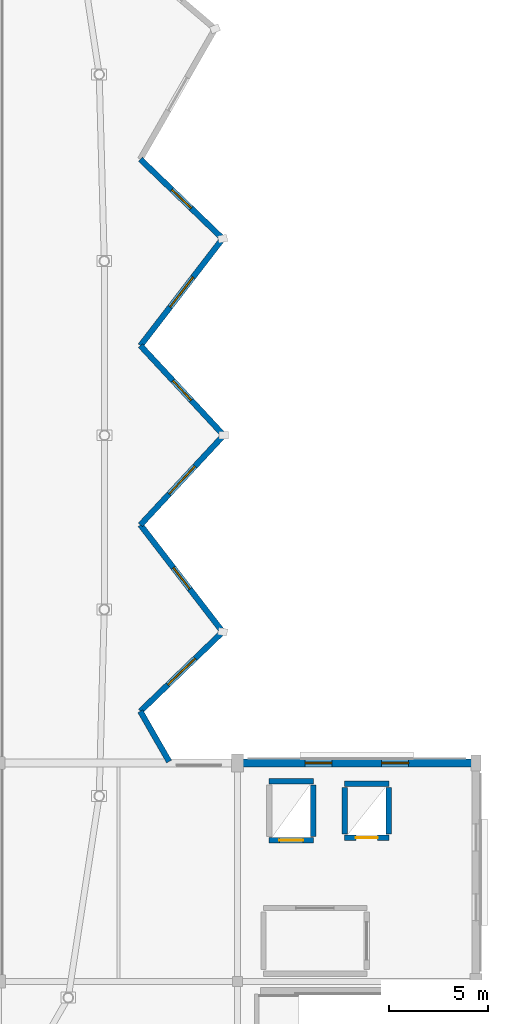
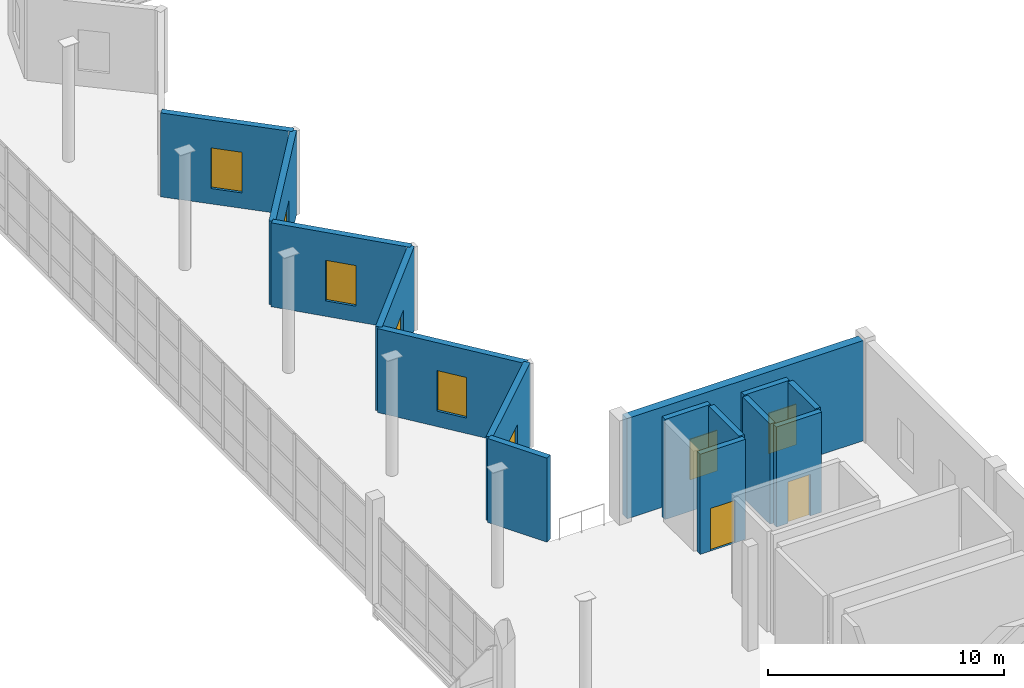
# One storey, part 40 of 49: 15 walls, 8 windows, 2 doors, 10 openings.
"""IFC4 building model written with IfcOpenShell, lengths in metres."""

from ifc_helpers import new_model, si_unit, direction, frame, frame_2d, origin, place, context, subcontext, project, spatial, rectangle, extrude, material, layer, layer_set, type_object, element, fill, save


model = new_model("IFC4")

# Units and contexts
model_context = context("Model", 3, precision=1e-05, world=origin(), true_north=direction((0.0, 1.0)))
body_context = subcontext(model_context, "Body", "Model", "MODEL_VIEW")
ifc_project = project(units=[si_unit("LENGTHUNIT", "METRE"), si_unit("AREAUNIT", "SQUARE_METRE"), si_unit("VOLUMEUNIT", "CUBIC_METRE"), si_unit("PLANEANGLEUNIT", "RADIAN"), si_unit("MASSUNIT", "GRAM", prefix="KILO")], contexts=[model_context])

# Site, building, storey
site_placement = place(None, origin())
site = spatial("IfcSite", under=ifc_project, at=site_placement, CompositionType="ELEMENT")
building_placement = place(site_placement, origin())
building = spatial("IfcBuilding", under=site, at=building_placement, Name="Luwafu Chhajja Arena", CompositionType="ELEMENT")
storey_placement = place(building_placement, frame((0.0, 0.0, 24.300048828125)))
storey = spatial("IfcBuildingStorey", under=building, at=storey_placement, Name="L05", CompositionType="ELEMENT", Elevation=24.300048828125)

# Wall, opening, door
ifc_material_1 = material(Name="Concrete C35/45", Category="concrete")
ifc_layer_1 = layer(ifc_material_1, 0.260009765625, Name="Concrete C35/45")
ifc_layer_set_1 = layer_set([ifc_layer_1], Name="Concrete C35/45")
wall_type_1 = type_object("IfcWallType", Name="Lift and Riser Shaft Wall 260", PredefinedType="SOLIDWALL", material=ifc_layer_set_1)
wall_1_placement = place(storey_placement, frame((153.590087890625, 29.114990234375, 0.0), z_axis=(0.0, 0.0, 1.0), x_axis=(1.0, 0.0, 0.0)))
wall_1 = element("IfcWall", 1, at=wall_1_placement, inside=storey, type_object=wall_type_1, Name="L05 Lift LF-02 Shaft Wall S", PredefinedType="SOLIDWALL", context=body_context, shape_type="SweptSolid", body=[
    extrude(rectangle(XDim=2.219970703125, YDim=0.260009765625, at=frame_2d((1.10986328125, 0.0))), origin(), (0.0, 0.0, 1.0), 5.179931640625),
])
opening_1_placement = place(wall_1_placement, frame((0.510009765625, 0.0, 0.0)))
opening_1 = element("IfcOpeningElement", 2, at=opening_1_placement, cuts=wall_1, Name="Opening LD-02", PredefinedType="OPENING", context=body_context, shape_type="SweptSolid", body=[
    extrude(rectangle(XDim=1.199951171875, YDim=2.199951171875, at=frame_2d((0.60009765625, 1.10009765625))), frame((0.0, 0.139892578125, 0.0), z_axis=(0.0, -1.0, 0.0), x_axis=(1.0, 0.0, 0.0)), (0.0, 0.0, 1.0), 0.280029296875),
])
ifc_material_2 = material(Name="Brushed stainless steel sliding leaves", Category="steel")
door_type_1 = type_object("IfcDoorType", Name="LD-02", OperationType="SLIDING_TO_LEFT", PredefinedType="DOOR", material=ifc_material_2)
door_1_placement = place(opening_1_placement, origin())
door_1 = element("IfcDoor", 3, at=door_1_placement, inside=storey, type_object=door_type_1, Name="L05 Lift LF-02 Landing Door L05-LD03", OperationType="SLIDING_TO_LEFT", OverallHeight=2.199951171875, OverallWidth=1.199951171875, PredefinedType="DOOR", context=body_context, shape_type="SweptSolid", body=[
    extrude(rectangle(XDim=1.199951171875, YDim=2.199951171875, at=frame_2d((0.60009765625, 1.10009765625))), frame((0.0, 0.02490234375, 0.0), z_axis=(0.0, -1.0, 0.0), x_axis=(1.0, 0.0, 0.0)), (0.0, 0.0, 1.0), 0.050048828125),
])
fill(opening_1, door_1)

# Walls
wall_2_placement = place(storey_placement, frame((153.590087890625, 32.0849609375, 0.0), z_axis=(0.0, 0.0, 1.0), x_axis=(1.0, 0.0, 0.0)))
element("IfcWall", 4, at=wall_2_placement, inside=storey, type_object=wall_type_1, Name="L05 Lift LF-02 Shaft Wall N", PredefinedType="SOLIDWALL", context=body_context, shape_type="SweptSolid", body=[
    extrude(rectangle(XDim=2.219970703125, YDim=0.260009765625, at=frame_2d((1.10986328125, 0.0))), origin(), (0.0, 0.0, 1.0), 5.179931640625),
])
wall_3_placement = place(storey_placement, frame((155.81005859375, 29.31494140625, 0.0), z_axis=(0.0, 0.0, 1.0), x_axis=(0.0, 1.0, 0.0)))
element("IfcWall", 5, at=wall_3_placement, inside=storey, type_object=wall_type_1, Name="L05 Lift LF-02 Shaft Wall E", PredefinedType="SOLIDWALL", context=body_context, shape_type="SweptSolid", body=[
    extrude(rectangle(XDim=2.570068359375, YDim=0.260009765625, at=frame_2d((1.28515625, 0.0))), origin(), (0.0, 0.0, 1.0), 5.179931640625),
])

# Wall, opening, door
wall_4_placement = place(storey_placement, frame((157.389892578125, 29.239990234375, 0.0), z_axis=(0.0, 0.0, 1.0), x_axis=(1.0, 0.0, 0.0)))
wall_4 = element("IfcWall", 6, at=wall_4_placement, inside=storey, type_object=wall_type_1, Name="L05 Lift LF-06 Shaft Wall S", PredefinedType="SOLIDWALL", context=body_context, shape_type="SweptSolid", body=[
    extrude(rectangle(XDim=2.22021484375, YDim=0.260009765625, at=frame_2d((1.110107421875, 0.0))), origin(), (0.0, 0.0, 1.0), 5.179931640625),
])
opening_2_placement = place(wall_4_placement, frame((0.56005859375, 0.0, 0.0)))
opening_2 = element("IfcOpeningElement", 7, at=opening_2_placement, cuts=wall_4, Name="Opening LD-01", PredefinedType="OPENING", context=body_context, shape_type="SweptSolid", body=[
    extrude(rectangle(XDim=1.10009765625, YDim=2.14990234375, at=frame_2d((0.550048828125, 1.074951171875))), frame((0.0, 0.139892578125, 0.0), z_axis=(0.0, -1.0, 0.0), x_axis=(1.0, 0.0, 0.0)), (0.0, 0.0, 1.0), 0.280029296875),
])
door_type_2 = type_object("IfcDoorType", Name="LD-01", OperationType="SLIDING_TO_LEFT", PredefinedType="DOOR", material=ifc_material_2)
door_2_placement = place(opening_2_placement, origin())
door_2 = element("IfcDoor", 8, at=door_2_placement, inside=storey, type_object=door_type_2, Name="L05 Lift LF-06 Landing Door L05-LD04", OperationType="SLIDING_TO_LEFT", OverallHeight=2.14990234375, OverallWidth=1.10009765625, PredefinedType="DOOR", context=body_context, shape_type="SweptSolid", body=[
    extrude(rectangle(XDim=1.10009765625, YDim=2.14990234375, at=frame_2d((0.550048828125, 1.074951171875))), frame((0.0, 0.02490234375, 0.0), z_axis=(0.0, -1.0, 0.0), x_axis=(1.0, 0.0, 0.0)), (0.0, 0.0, 1.0), 0.050048828125),
])
fill(opening_2, door_2)

# Walls
wall_5_placement = place(storey_placement, frame((157.389892578125, 31.9599609375, 0.0), z_axis=(0.0, 0.0, 1.0), x_axis=(1.0, 0.0, 0.0)))
element("IfcWall", 9, at=wall_5_placement, inside=storey, type_object=wall_type_1, Name="L05 Lift LF-06 Shaft Wall N", PredefinedType="SOLIDWALL", context=body_context, shape_type="SweptSolid", body=[
    extrude(rectangle(XDim=2.22021484375, YDim=0.260009765625, at=frame_2d((1.110107421875, 0.0))), origin(), (0.0, 0.0, 1.0), 5.179931640625),
])
for number, where, z_axis, x_axis, name in (
    (10, (157.389892578125, 29.43994140625, 0.0), (0.0, 0.0, 1.0), (0.0, 1.0, 0.0), "L05 Lift LF-06 Shaft Wall W"),
    (11, (159.610107421875, 29.43994140625, 0.0), (0.0, 0.0, 1.0), (0.0, 1.0, 0.0), "L05 Lift LF-06 Shaft Wall E"),
):
    element("IfcWall", number, at=place(storey_placement, frame(where, z_axis=z_axis, x_axis=x_axis)), inside=storey, type_object=wall_type_1, Name=name, PredefinedType="SOLIDWALL", context=body_context, shape_type="SweptSolid", body=[
        extrude(rectangle(XDim=2.320068359375, YDim=0.260009765625, at=frame_2d((1.16015625, 0.0))), origin(), (0.0, 0.0, 1.0), 5.179931640625),
    ])

# Wall, opening, window
ifc_material_3 = material(Name="Precast concrete C40/50", Category="concrete")
ifc_layer_2 = layer(ifc_material_3, 0.2900390625, Name="Precast concrete C40/50")
ifc_layer_set_2 = layer_set([ifc_layer_2], Name="Precast concrete C40/50")
wall_type_2 = type_object("IfcWallType", Name="Pleated Bowl Upper V-Fold Wall 290", PredefinedType="USERDEFINED", material=ifc_layer_set_2)
wall_6_placement = place(storey_placement, frame((151.300048828125, 49.5, 0.0), z_axis=(0.0, 0.0, 1.0), x_axis=(-0.68064266922, 0.732615558692, 0.0)))
wall_6 = element("IfcWall", 12, at=wall_6_placement, inside=storey, type_object=wall_type_2, Name="L05 Pleated Bowl V-Fold Wall 01", ObjectType="PLEATED FACADE WALL", PredefinedType="USERDEFINED", context=body_context, shape_type="SweptSolid", body=[
    extrude(rectangle(XDim=6.158447265625, YDim=0.2900390625, at=frame_2d((3.0791015625, 0.0))), origin(), (0.0, 0.0, 1.0), 4.33984375),
])
opening_3_placement = place(wall_6_placement, frame((2.404052734375, 0.0, 0.800048828125)))
opening_3 = element("IfcOpeningElement", 13, at=opening_3_placement, cuts=wall_6, Name="Opening WN-17", PredefinedType="OPENING", context=body_context, shape_type="SweptSolid", body=[
    extrude(rectangle(XDim=1.35009765625, YDim=2.10009765625, at=frame_2d((0.675048828125, 1.050048828125))), frame((0.0, 0.155029296875, 0.0), z_axis=(0.0, -1.0, 0.0), x_axis=(1.0, 0.0, 0.0)), (0.0, 0.0, 1.0), 0.31005859375),
])
ifc_material_4 = material(Name="Solar-control laminated glass", Category="glass")
window_type_1 = type_object("IfcWindowType", Name="Exhibition Mezzanine Lancet Window 1350x2100", PartitioningType="SINGLE_PANEL", PredefinedType="WINDOW", material=ifc_material_4)
window_1_placement = place(opening_3_placement, origin())
window_1 = element("IfcWindow", 14, at=window_1_placement, inside=storey, type_object=window_type_1, Name="L05 Pleated Bowl Lancet Window 129", OverallHeight=2.10009765625, OverallWidth=1.35009765625, PartitioningType="SINGLE_PANEL", PredefinedType="WINDOW", context=body_context, shape_type="SweptSolid", body=[
    extrude(rectangle(XDim=1.35009765625, YDim=2.10009765625, at=frame_2d((0.675048828125, 1.050048828125))), frame((0.0, 0.030029296875, 0.0), z_axis=(0.0, -1.0, 0.0), x_axis=(1.0, 0.0, 0.0)), (0.0, 0.0, 1.0), 0.06005859375),
])
fill(opening_3, window_1)

wall_7_placement = place(storey_placement, frame((147.1083984375, 54.01171875, 0.0), z_axis=(0.0, 0.0, 1.0), x_axis=(0.609656915655, 0.792665405575, 0.0)))
wall_7 = element("IfcWall", 15, at=wall_7_placement, inside=storey, type_object=wall_type_2, Name="L05 Pleated Bowl V-Fold Wall 02", ObjectType="PLEATED FACADE WALL", PredefinedType="USERDEFINED", context=body_context, shape_type="SweptSolid", body=[
    extrude(rectangle(XDim=6.79296875, YDim=0.2900390625, at=frame_2d((3.396484375, 0.0))), origin(), (0.0, 0.0, 1.0), 4.33984375),
])
opening_4_placement = place(wall_7_placement, frame((2.4462890625, 0.0, 0.85009765625)))
opening_4 = element("IfcOpeningElement", 16, at=opening_4_placement, cuts=wall_7, Name="Opening WN-15", PredefinedType="OPENING", context=body_context, shape_type="SweptSolid", body=[
    extrude(rectangle(XDim=1.89990234375, YDim=1.60009765625, at=frame_2d((0.949951171875, 0.800048828125))), frame((0.0, 0.155029296875, 0.0), z_axis=(0.0, -1.0, 0.0), x_axis=(1.0, 0.0, 0.0)), (0.0, 0.0, 1.0), 0.31005859375),
])
window_type_2 = type_object("IfcWindowType", Name="Pleated Drum Inward-Fold Clerestory 1900x1600", PartitioningType="SINGLE_PANEL", PredefinedType="WINDOW", material=ifc_material_4)
window_2_placement = place(opening_4_placement, origin())
window_2 = element("IfcWindow", 17, at=window_2_placement, inside=storey, type_object=window_type_2, Name="L05 Pleated Bowl Lancet Window 130", OverallHeight=1.60009765625, OverallWidth=1.89990234375, PartitioningType="SINGLE_PANEL", PredefinedType="WINDOW", context=body_context, shape_type="SweptSolid", body=[
    extrude(rectangle(XDim=1.89990234375, YDim=1.60009765625, at=frame_2d((0.949951171875, 0.800048828125))), frame((0.0, 0.030029296875, 0.0), z_axis=(0.0, -1.0, 0.0), x_axis=(1.0, 0.0, 0.0)), (0.0, 0.0, 1.0), 0.06005859375),
])
fill(opening_4, window_2)

wall_8_placement = place(storey_placement, frame((151.249755859375, 59.396240234375, 0.0), z_axis=(0.0, 0.0, 1.0), x_axis=(-0.719894969607, 0.694083015737, 0.0)))
wall_8 = element("IfcWall", 18, at=wall_8_placement, inside=storey, type_object=wall_type_2, Name="L05 Pleated Bowl V-Fold Wall 03", ObjectType="PLEATED FACADE WALL", PredefinedType="USERDEFINED", context=body_context, shape_type="SweptSolid", body=[
    extrude(rectangle(XDim=5.76025390625, YDim=0.2900390625, at=frame_2d((2.880126953125, 0.0))), origin(), (0.0, 0.0, 1.0), 4.33984375),
])
opening_5_placement = place(wall_8_placement, frame((2.205078125, 0.0, 0.800048828125)))
opening_5 = element("IfcOpeningElement", 19, at=opening_5_placement, cuts=wall_8, Name="Opening WN-17", PredefinedType="OPENING", context=body_context, shape_type="SweptSolid", body=[
    extrude(rectangle(XDim=1.35009765625, YDim=2.10009765625, at=frame_2d((0.675048828125, 1.050048828125))), frame((0.0, 0.155029296875, 0.0), z_axis=(0.0, -1.0, 0.0), x_axis=(1.0, 0.0, 0.0)), (0.0, 0.0, 1.0), 0.31005859375),
])
window_3_placement = place(opening_5_placement, origin())
window_3 = element("IfcWindow", 20, at=window_3_placement, inside=storey, type_object=window_type_1, Name="L05 Pleated Bowl Lancet Window 131", OverallHeight=2.10009765625, OverallWidth=1.35009765625, PartitioningType="SINGLE_PANEL", PredefinedType="WINDOW", context=body_context, shape_type="SweptSolid", body=[
    extrude(rectangle(XDim=1.35009765625, YDim=2.10009765625, at=frame_2d((0.675048828125, 1.050048828125))), frame((0.0, 0.030029296875, 0.0), z_axis=(0.0, -1.0, 0.0), x_axis=(1.0, 0.0, 0.0)), (0.0, 0.0, 1.0), 0.06005859375),
])
fill(opening_5, window_3)

# Wall
wall_9_placement = place(storey_placement, frame((148.550537109375, 33.080078125, 0.0), z_axis=(0.0, 0.0, 1.0), x_axis=(-0.497249451908, 0.86760762017, 0.0)))
element("IfcWall", 21, at=wall_9_placement, inside=storey, type_object=wall_type_2, Name="L05 Pleated Bowl V-Fold Wall 61", ObjectType="PLEATED FACADE WALL", PredefinedType="USERDEFINED", context=body_context, shape_type="SweptSolid", body=[
    extrude(rectangle(XDim=2.9111328125, YDim=0.2900390625, at=frame_2d((1.45556640625, 0.0))), origin(), (0.0, 0.0, 1.0), 4.33984375),
])

# Wall, opening, window
wall_10_placement = place(storey_placement, frame((147.10302734375, 35.605712890625, 0.0), z_axis=(0.0, 0.0, 1.0), x_axis=(0.719894969607, 0.694083015737, 0.0)))
wall_10 = element("IfcWall", 22, at=wall_10_placement, inside=storey, type_object=wall_type_2, Name="L05 Pleated Bowl V-Fold Wall 62", ObjectType="PLEATED FACADE WALL", PredefinedType="USERDEFINED", context=body_context, shape_type="SweptSolid", body=[
    extrude(rectangle(XDim=5.76025390625, YDim=0.2900390625, at=frame_2d((2.880126953125, 0.0))), origin(), (0.0, 0.0, 1.0), 4.33984375),
])
opening_6_placement = place(wall_10_placement, frame((1.93017578125, 0.0, 0.85009765625)))
opening_6 = element("IfcOpeningElement", 23, at=opening_6_placement, cuts=wall_10, Name="Opening WN-15", PredefinedType="OPENING", context=body_context, shape_type="SweptSolid", body=[
    extrude(rectangle(XDim=1.89990234375, YDim=1.60009765625, at=frame_2d((0.949951171875, 0.800048828125))), frame((0.0, 0.155029296875, 0.0), z_axis=(0.0, -1.0, 0.0), x_axis=(1.0, 0.0, 0.0)), (0.0, 0.0, 1.0), 0.31005859375),
])
window_4_placement = place(opening_6_placement, origin())
window_4 = element("IfcWindow", 24, at=window_4_placement, inside=storey, type_object=window_type_2, Name="L05 Pleated Bowl Lancet Window 178", OverallHeight=1.60009765625, OverallWidth=1.89990234375, PartitioningType="SINGLE_PANEL", PredefinedType="WINDOW", context=body_context, shape_type="SweptSolid", body=[
    extrude(rectangle(XDim=1.89990234375, YDim=1.60009765625, at=frame_2d((0.949951171875, 0.800048828125))), frame((0.0, 0.030029296875, 0.0), z_axis=(0.0, -1.0, 0.0), x_axis=(1.0, 0.0, 0.0)), (0.0, 0.0, 1.0), 0.06005859375),
])
fill(opening_6, window_4)

wall_11_placement = place(storey_placement, frame((151.249755859375, 39.603759765625, 0.0), z_axis=(0.0, 0.0, 1.0), x_axis=(-0.609656915655, 0.792665405575, 0.0)))
wall_11 = element("IfcWall", 25, at=wall_11_placement, inside=storey, type_object=wall_type_2, Name="L05 Pleated Bowl V-Fold Wall 63", ObjectType="PLEATED FACADE WALL", PredefinedType="USERDEFINED", context=body_context, shape_type="SweptSolid", body=[
    extrude(rectangle(XDim=6.79296875, YDim=0.2900390625, at=frame_2d((3.396484375, 0.0))), origin(), (0.0, 0.0, 1.0), 4.33984375),
])
opening_7_placement = place(wall_11_placement, frame((2.721435546875, 0.0, 0.800048828125)))
opening_7 = element("IfcOpeningElement", 26, at=opening_7_placement, cuts=wall_11, Name="Opening WN-17", PredefinedType="OPENING", context=body_context, shape_type="SweptSolid", body=[
    extrude(rectangle(XDim=1.35009765625, YDim=2.10009765625, at=frame_2d((0.675048828125, 1.050048828125))), frame((0.0, 0.155029296875, 0.0), z_axis=(0.0, -1.0, 0.0), x_axis=(1.0, 0.0, 0.0)), (0.0, 0.0, 1.0), 0.31005859375),
])
window_5_placement = place(opening_7_placement, origin())
window_5 = element("IfcWindow", 27, at=window_5_placement, inside=storey, type_object=window_type_1, Name="L05 Pleated Bowl Lancet Window 179", OverallHeight=2.10009765625, OverallWidth=1.35009765625, PartitioningType="SINGLE_PANEL", PredefinedType="WINDOW", context=body_context, shape_type="SweptSolid", body=[
    extrude(rectangle(XDim=1.35009765625, YDim=2.10009765625, at=frame_2d((0.675048828125, 1.050048828125))), frame((0.0, 0.030029296875, 0.0), z_axis=(0.0, -1.0, 0.0), x_axis=(1.0, 0.0, 0.0)), (0.0, 0.0, 1.0), 0.06005859375),
])
fill(opening_7, window_5)

wall_12_placement = place(storey_placement, frame((147.1083984375, 44.98828125, 0.0), z_axis=(0.0, 0.0, 1.0), x_axis=(0.68064266922, 0.732615558692, 0.0)))
wall_12 = element("IfcWall", 28, at=wall_12_placement, inside=storey, type_object=wall_type_2, Name="L05 Pleated Bowl V-Fold Wall 64", ObjectType="PLEATED FACADE WALL", PredefinedType="USERDEFINED", context=body_context, shape_type="SweptSolid", body=[
    extrude(rectangle(XDim=6.158447265625, YDim=0.2900390625, at=frame_2d((3.0791015625, 0.0))), origin(), (0.0, 0.0, 1.0), 4.33984375),
])
opening_8_placement = place(wall_12_placement, frame((2.129150390625, 0.0, 0.85009765625)))
opening_8 = element("IfcOpeningElement", 29, at=opening_8_placement, cuts=wall_12, Name="Opening WN-15", PredefinedType="OPENING", context=body_context, shape_type="SweptSolid", body=[
    extrude(rectangle(XDim=1.89990234375, YDim=1.60009765625, at=frame_2d((0.949951171875, 0.800048828125))), frame((0.0, 0.155029296875, 0.0), z_axis=(0.0, -1.0, 0.0), x_axis=(1.0, 0.0, 0.0)), (0.0, 0.0, 1.0), 0.31005859375),
])
window_6_placement = place(opening_8_placement, origin())
window_6 = element("IfcWindow", 30, at=window_6_placement, inside=storey, type_object=window_type_2, Name="L05 Pleated Bowl Lancet Window 180", OverallHeight=1.60009765625, OverallWidth=1.89990234375, PartitioningType="SINGLE_PANEL", PredefinedType="WINDOW", context=body_context, shape_type="SweptSolid", body=[
    extrude(rectangle(XDim=1.89990234375, YDim=1.60009765625, at=frame_2d((0.949951171875, 0.800048828125))), frame((0.0, 0.030029296875, 0.0), z_axis=(0.0, -1.0, 0.0), x_axis=(1.0, 0.0, 0.0)), (0.0, 0.0, 1.0), 0.06005859375),
])
fill(opening_8, window_6)

# Wall, openings, windows
ifc_material_5 = material(Name="Concrete C40/50", Category="concrete")
ifc_layer_3 = layer(ifc_material_5, 0.39990234375, Name="Concrete C40/50")
ifc_layer_set_3 = layer_set([ifc_layer_3], Name="Concrete C40/50")
wall_type_3 = type_object("IfcWallType", Name="RC Core Shear Wall 400", PredefinedType="SOLIDWALL", material=ifc_layer_set_3)
wall_13_placement = place(storey_placement, frame((152.219970703125, 33.0, 0.0), z_axis=(0.0, 0.0, 1.0), x_axis=(1.0, 0.0, 0.0)))
wall_13 = element("IfcWall", 31, at=wall_13_placement, inside=storey, type_object=wall_type_3, Name="L05 Exterior Wall WEX-L05-248", PredefinedType="SOLIDWALL", context=body_context, shape_type="SweptSolid", body=[
    extrude(rectangle(XDim=11.56005859375, YDim=0.39990234375, at=frame_2d((5.780029296875, 0.0))), origin(), (0.0, 0.0, 1.0), 5.18505859375),
])
opening_9_placement = place(wall_13_placement, frame((3.17822265625, 0.0, 0.800048828125)))
opening_9 = element("IfcOpeningElement", 32, at=opening_9_placement, cuts=wall_13, Name="Opening WN-17", PredefinedType="OPENING", context=body_context, shape_type="SweptSolid", body=[
    extrude(rectangle(XDim=1.35009765625, YDim=2.10009765625, at=frame_2d((0.675048828125, 1.050048828125))), frame((0.0, 0.2099609375, 0.0), z_axis=(0.0, -1.0, 0.0), x_axis=(1.0, 0.0, 0.0)), (0.0, 0.0, 1.0), 0.419921875),
])
opening_10_placement = place(wall_13_placement, frame((7.03173828125, 0.0, 0.800048828125)))
opening_10 = element("IfcOpeningElement", 33, at=opening_10_placement, cuts=wall_13, Name="Opening WN-17", PredefinedType="OPENING", context=body_context, shape_type="SweptSolid", body=[
    extrude(rectangle(XDim=1.35009765625, YDim=2.10009765625, at=frame_2d((0.675048828125, 1.050048828125))), frame((0.0, 0.2099609375, 0.0), z_axis=(0.0, -1.0, 0.0), x_axis=(1.0, 0.0, 0.0)), (0.0, 0.0, 1.0), 0.419921875),
])
window_7_placement = place(opening_9_placement, origin())
window_7 = element("IfcWindow", 34, at=window_7_placement, inside=storey, type_object=window_type_1, Name="L05 Facade Window 240", OverallHeight=2.10009765625, OverallWidth=1.35009765625, PartitioningType="SINGLE_PANEL", PredefinedType="WINDOW", context=body_context, shape_type="SweptSolid", body=[
    extrude(rectangle(XDim=1.35009765625, YDim=2.10009765625, at=frame_2d((0.675048828125, 1.050048828125))), frame((0.0, 0.030029296875, 0.0), z_axis=(0.0, -1.0, 0.0), x_axis=(1.0, 0.0, 0.0)), (0.0, 0.0, 1.0), 0.06005859375),
])
fill(opening_9, window_7)
window_8_placement = place(opening_10_placement, origin())
window_8 = element("IfcWindow", 35, at=window_8_placement, inside=storey, type_object=window_type_1, Name="L05 Facade Window 241", OverallHeight=2.10009765625, OverallWidth=1.35009765625, PartitioningType="SINGLE_PANEL", PredefinedType="WINDOW", context=body_context, shape_type="SweptSolid", body=[
    extrude(rectangle(XDim=1.35009765625, YDim=2.10009765625, at=frame_2d((0.675048828125, 1.050048828125))), frame((0.0, 0.030029296875, 0.0), z_axis=(0.0, -1.0, 0.0), x_axis=(1.0, 0.0, 0.0)), (0.0, 0.0, 1.0), 0.06005859375),
])
fill(opening_10, window_8)

save(model, "model.ifc")
